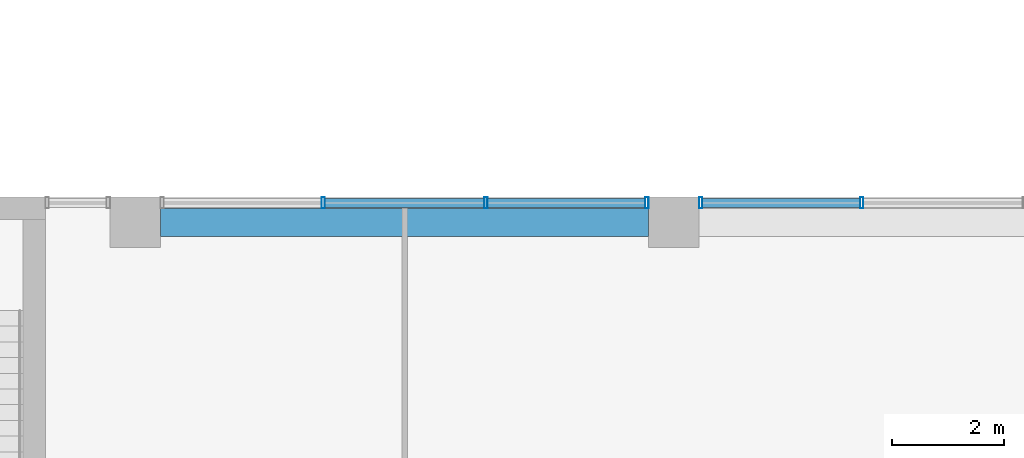
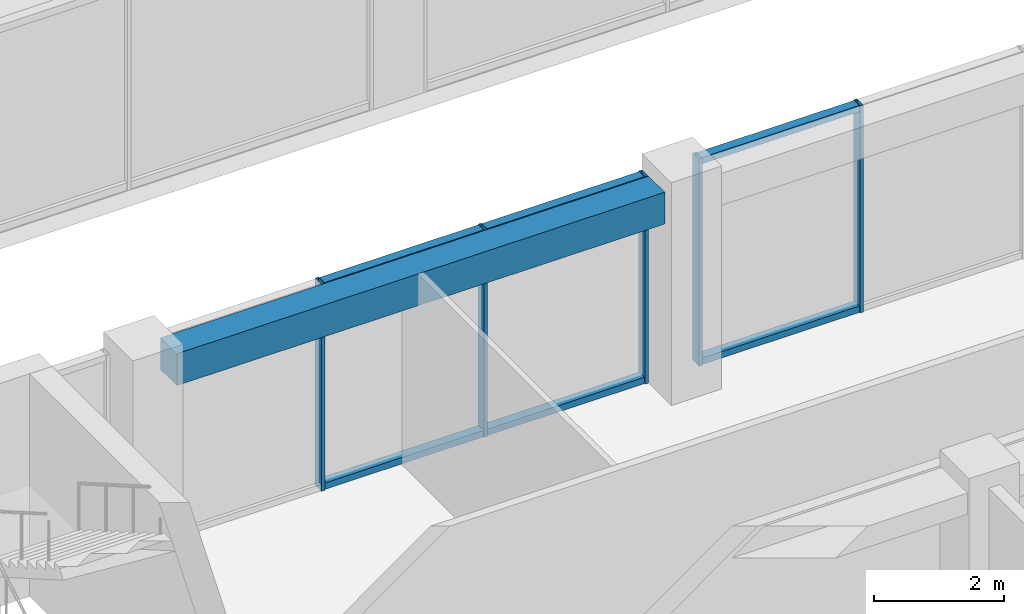
# One storey, part 16 of 36: 11 members, 1 beam, 2 elements without a shape of their own.
"""IFC4 building model written with IfcOpenShell, lengths in metres."""

from ifc_helpers import new_model, si_unit, direction, frame, origin, origin_2d, place, context, subcontext, project, spatial, rectangle, hollow_rectangle, extrude, material, layer, layer_set, material_profile, profile_set, type_object, element, aggregate, save


model = new_model("IFC4")

# Units and contexts
model_context = context("Model", 3, precision=1e-05, world=origin(), true_north=direction((0.0, 1.0)))
body_context = subcontext(model_context, "Body", "Model", "MODEL_VIEW")
ifc_project = project(units=[si_unit("LENGTHUNIT", "METRE"), si_unit("AREAUNIT", "SQUARE_METRE"), si_unit("VOLUMEUNIT", "CUBIC_METRE"), si_unit("PLANEANGLEUNIT", "RADIAN"), si_unit("MASSUNIT", "GRAM", prefix="KILO")], contexts=[model_context])

# Site, building, storey
site_placement = place(None, origin())
site = spatial("IfcSite", under=ifc_project, at=site_placement, CompositionType="ELEMENT")
building_placement = place(site_placement, origin())
building = spatial("IfcBuilding", under=site, at=building_placement, Name="Nzadi Deep Aquarium and Research Tower", CompositionType="ELEMENT")
storey_placement = place(building_placement, frame((0.0, 0.0, 36.10009765625)))
storey = spatial("IfcBuildingStorey", under=building, at=storey_placement, Name="L06", CompositionType="ELEMENT", Elevation=36.10009765625)

# Curtain wall, members
ifc_material_1 = material(Name="Aluminium unitised frame", Category="aluminium")
ifc_layer = layer(ifc_material_1, 0.199951171875)
ifc_layer_set = layer_set([ifc_layer], Name="Aluminium unitised frame")
curtain_wall_type = type_object("IfcCurtainWallType", Name="Curtain wall Unitised 200", PredefinedType="NOTDEFINED", material=ifc_layer_set)
curtain_wall_1_placement = place(storey_placement, origin())
curtain_wall_1 = element("IfcCurtainWall", 1, at=curtain_wall_1_placement, inside=storey, type_object=curtain_wall_type, Name="Unitised curtain wall blade A north L06", PredefinedType="NOTDEFINED")
ifc_material_2 = material(Name="Aluminium unitised frame", Category="aluminium")
ifc_material_profile_1 = material_profile(ifc_material_2, hollow_rectangle(XDim=0.199951171875, YDim=0.06005859375, WallThickness=0.0048828125, at=origin_2d()))
ifc_profile_set_1 = profile_set([ifc_material_profile_1], Name="Aluminium unitised frame")
member_type_1 = type_object("IfcMemberType", Name="Mullion 60x200 Unitised", PredefinedType="MULLION", material=ifc_profile_set_1)
member_1_placement = place(storey_placement, frame((32.14990234375, 18.75, 0.0), z_axis=(0.0, 0.0, 1.0), x_axis=(0.0, 1.0, 0.0)))
member_1 = element("IfcMember", 2, at=member_1_placement, type_object=member_type_1, Name="CW013 mullion 2", PredefinedType="MULLION", context=body_context, shape_type="SweptSolid", body=[
    extrude(hollow_rectangle(XDim=0.199951171875, YDim=0.06005859375, WallThickness=0.0048828125, at=origin_2d()), origin(), (0.0, 0.0, 1.0), 3.89990234375),
])
member_2_placement = place(storey_placement, frame((35.050048828125, 18.75, 0.0), z_axis=(0.0, 0.0, 1.0), x_axis=(0.0, 1.0, 0.0)))
member_2 = element("IfcMember", 3, at=member_2_placement, type_object=member_type_1, Name="CW013 mullion 3", PredefinedType="MULLION", context=body_context, shape_type="SweptSolid", body=[
    extrude(hollow_rectangle(XDim=0.199951171875, YDim=0.06005859375, WallThickness=0.0048828125, at=origin_2d()), origin(), (0.0, 0.0, 1.0), 3.89990234375),
])
member_3_placement = place(storey_placement, frame((37.919921875, 18.75, 0.0), z_axis=(0.0, 0.0, 1.0), x_axis=(0.0, 1.0, 0.0)))
member_3 = element("IfcMember", 4, at=member_3_placement, type_object=member_type_1, Name="CW013 mullion 4", PredefinedType="MULLION", context=body_context, shape_type="SweptSolid", body=[
    extrude(hollow_rectangle(XDim=0.199951171875, YDim=0.06005859375, WallThickness=0.0048828125, at=origin_2d()), origin(), (0.0, 0.0, 1.0), 3.89990234375),
])

curtain_wall_2_placement = place(storey_placement, origin())
curtain_wall_2 = element("IfcCurtainWall", 5, at=curtain_wall_2_placement, inside=storey, type_object=curtain_wall_type, Name="Unitised curtain wall blade A north L06", PredefinedType="NOTDEFINED")
member_4_placement = place(storey_placement, frame((38.8798828125, 18.75, 0.0), z_axis=(0.0, 0.0, 1.0), x_axis=(0.0, 1.0, 0.0)))
member_4 = element("IfcMember", 6, at=member_4_placement, type_object=member_type_1, Name="CW014 mullion 1", PredefinedType="MULLION", context=body_context, shape_type="SweptSolid", body=[
    extrude(hollow_rectangle(XDim=0.199951171875, YDim=0.06005859375, WallThickness=0.0048828125, at=origin_2d()), origin(), (0.0, 0.0, 1.0), 3.89990234375),
])
member_5_placement = place(storey_placement, frame((41.75, 18.75, 0.0), z_axis=(0.0, 0.0, 1.0), x_axis=(0.0, 1.0, 0.0)))
member_5 = element("IfcMember", 7, at=member_5_placement, type_object=member_type_1, Name="CW014 mullion 2", PredefinedType="MULLION", context=body_context, shape_type="SweptSolid", body=[
    extrude(hollow_rectangle(XDim=0.199951171875, YDim=0.06005859375, WallThickness=0.0048828125, at=origin_2d()), origin(), (0.0, 0.0, 1.0), 3.89990234375),
])

# Beam
ifc_material_3 = material(Name="Concrete C35/45", Category="concrete")
ifc_material_profile_2 = material_profile(ifc_material_3, rectangle(XDim=0.5, YDim=0.60009765625, at=origin_2d()))
ifc_profile_set_2 = profile_set([ifc_material_profile_2], Name="Concrete C35/45")
beam_type = type_object("IfcBeamType", Name="RC 500x600", PredefinedType="BEAM", material=ifc_profile_set_2)
beam_placement = place(storey_placement, frame((29.25, 18.39990234375, 3.599853515625), z_axis=(1.0, 0.0, 0.0), x_axis=(0.0, 1.0, 0.0)))
element("IfcBeam", 8, at=beam_placement, inside=storey, type_object=beam_type, Name="B-Z1-L06-L3-4", PredefinedType="BEAM", context=body_context, shape_type="SweptSolid", body=[
    extrude(rectangle(XDim=0.5, YDim=0.60009765625, at=origin_2d()), origin(), (0.0, 0.0, 1.0), 8.699951171875),
])

# Member
ifc_material_4 = material(Name="Aluminium unitised frame", Category="aluminium")
ifc_material_profile_3 = material_profile(ifc_material_4, hollow_rectangle(XDim=0.159912109375, YDim=0.1201171875, WallThickness=0.0048828125, at=origin_2d()))
ifc_profile_set_3 = profile_set([ifc_material_profile_3], Name="Aluminium unitised frame")
member_type_2 = type_object("IfcMemberType", Name="Transom 120x160 Unitised", PredefinedType="MULLION", material=ifc_profile_set_3)
member_6_placement = place(storey_placement, frame((32.179931640625, 18.75, 0.059814453125), z_axis=(1.0, 0.0, 0.0), x_axis=(0.0, 1.0, 0.0)))
member_6 = element("IfcMember", 9, at=member_6_placement, type_object=member_type_2, Name="CW013 transom 2.1", PredefinedType="MULLION", context=body_context, shape_type="SweptSolid", body=[
    extrude(hollow_rectangle(XDim=0.159912109375, YDim=0.1201171875, WallThickness=0.0048828125, at=origin_2d()), origin(), (0.0, 0.0, 1.0), 2.840087890625),
])

member_7_placement = place(storey_placement, frame((32.179931640625, 18.75, 3.83984375), z_axis=(1.0, 0.0, 0.0), x_axis=(0.0, 1.0, 0.0)))
member_7 = element("IfcMember", 10, at=member_7_placement, type_object=member_type_2, Name="CW013 transom 2.2", PredefinedType="MULLION", context=body_context, shape_type="SweptSolid", body=[
    extrude(hollow_rectangle(XDim=0.159912109375, YDim=0.1201171875, WallThickness=0.0048828125, at=origin_2d()), origin(), (0.0, 0.0, 1.0), 2.840087890625),
])

member_8_placement = place(storey_placement, frame((35.080078125, 18.75, 0.059814453125), z_axis=(1.0, 0.0, 0.0), x_axis=(0.0, 1.0, 0.0)))
member_8 = element("IfcMember", 11, at=member_8_placement, type_object=member_type_2, Name="CW013 transom 3.1", PredefinedType="MULLION", context=body_context, shape_type="SweptSolid", body=[
    extrude(hollow_rectangle(XDim=0.159912109375, YDim=0.1201171875, WallThickness=0.0048828125, at=origin_2d()), origin(), (0.0, 0.0, 1.0), 2.809814453125),
])

member_9_placement = place(storey_placement, frame((35.080078125, 18.75, 3.83984375), z_axis=(1.0, 0.0, 0.0), x_axis=(0.0, 1.0, 0.0)))
member_9 = element("IfcMember", 12, at=member_9_placement, type_object=member_type_2, Name="CW013 transom 3.2", PredefinedType="MULLION", context=body_context, shape_type="SweptSolid", body=[
    extrude(hollow_rectangle(XDim=0.159912109375, YDim=0.1201171875, WallThickness=0.0048828125, at=origin_2d()), origin(), (0.0, 0.0, 1.0), 2.809814453125),
])

aggregate(curtain_wall_1, [member_1, member_2, member_3, member_6, member_7, member_8, member_9])

member_10_placement = place(storey_placement, frame((38.909912109375, 18.75, 0.059814453125), z_axis=(1.0, 0.0, 0.0), x_axis=(0.0, 1.0, 0.0)))
member_10 = element("IfcMember", 13, at=member_10_placement, type_object=member_type_2, Name="CW014 transom 1.1", PredefinedType="MULLION", context=body_context, shape_type="SweptSolid", body=[
    extrude(hollow_rectangle(XDim=0.159912109375, YDim=0.1201171875, WallThickness=0.0048828125, at=origin_2d()), origin(), (0.0, 0.0, 1.0), 2.81005859375),
])

member_11_placement = place(storey_placement, frame((38.909912109375, 18.75, 3.83984375), z_axis=(1.0, 0.0, 0.0), x_axis=(0.0, 1.0, 0.0)))
member_11 = element("IfcMember", 14, at=member_11_placement, type_object=member_type_2, Name="CW014 transom 1.2", PredefinedType="MULLION", context=body_context, shape_type="SweptSolid", body=[
    extrude(hollow_rectangle(XDim=0.159912109375, YDim=0.1201171875, WallThickness=0.0048828125, at=origin_2d()), origin(), (0.0, 0.0, 1.0), 2.81005859375),
])

aggregate(curtain_wall_2, [member_4, member_5, member_10, member_11])

save(model, "model.ifc")
